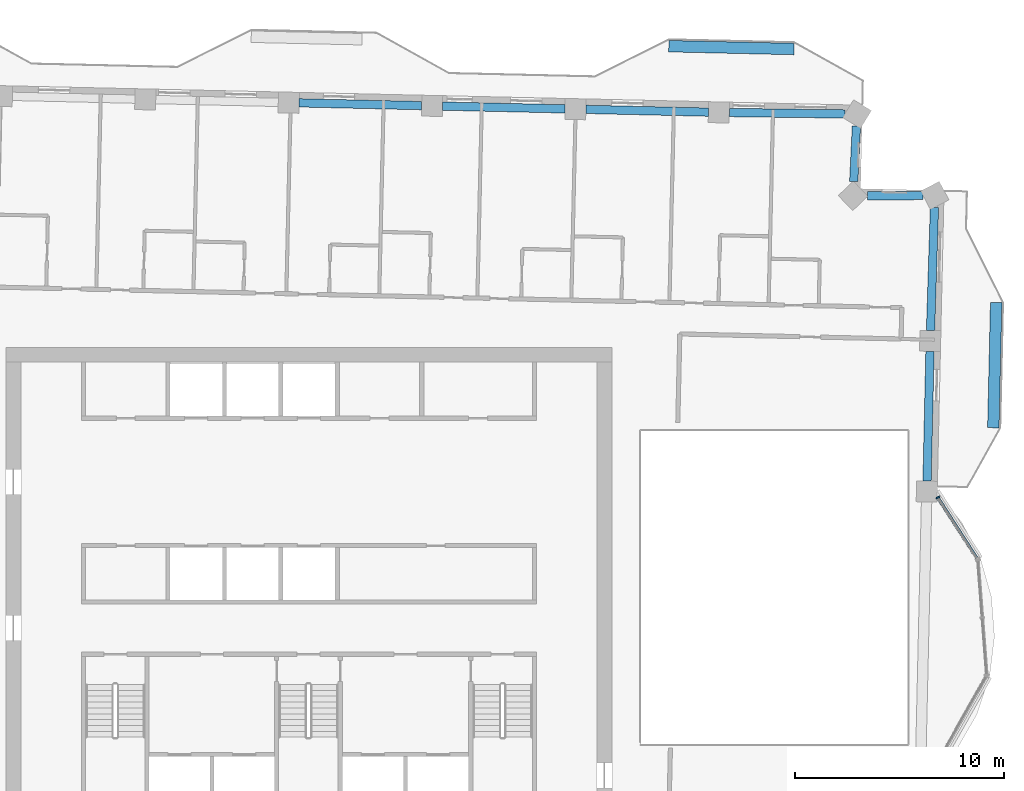
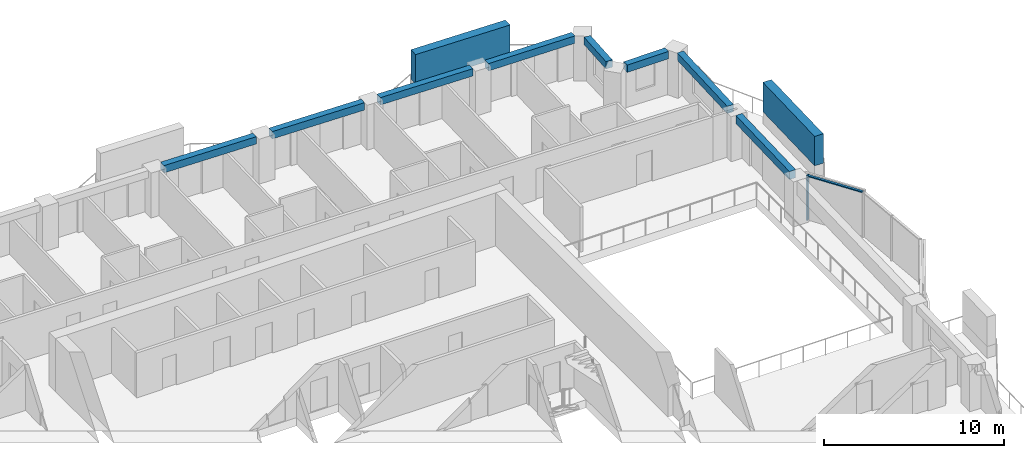
# One storey, part 4 of 17: 8 beams, 4 members, 1 element without a shape of its own.
"""IFC4 building model written with IfcOpenShell, lengths in metres."""

from ifc_helpers import new_model, si_unit, direction, frame, origin, origin_2d, place, context, subcontext, project, spatial, rectangle, extrude, material, material_profile, profile_set, type_object, element, aggregate, save


model = new_model("IFC4")

# Units and contexts
model_context = context("Model", 3, precision=1e-05, world=origin(), true_north=direction((0.0, 1.0)))
body_context = subcontext(model_context, "Body", "Model", "MODEL_VIEW")
ifc_project = project(units=[si_unit("LENGTHUNIT", "METRE"), si_unit("AREAUNIT", "SQUARE_METRE"), si_unit("VOLUMEUNIT", "CUBIC_METRE"), si_unit("PLANEANGLEUNIT", "RADIAN"), si_unit("MASSUNIT", "GRAM", prefix="KILO")], contexts=[model_context])

# Site, building, storey
site_placement = place(None, origin())
site = spatial("IfcSite", under=ifc_project, at=site_placement, CompositionType="ELEMENT")
building_placement = place(site_placement, origin())
building = spatial("IfcBuilding", under=site, at=building_placement, Name="Mangrove Gate Tower", CompositionType="ELEMENT")
storey_placement = place(building_placement, frame((0.0, 0.0, 260.89990234375)))
storey = spatial("IfcBuildingStorey", under=building, at=storey_placement, Name="L66", CompositionType="ELEMENT", Elevation=260.89990234375)

# Curtain wall, members
ifc_material_1 = material(Name="Aluminium and glass curtain wall", Category="aluminium")
curtain_wall_type = type_object("IfcCurtainWallType", Name="Atrium garden-court glazing wall", PredefinedType="NOTDEFINED", material=ifc_material_1)
curtain_wall_placement = place(storey_placement, origin())
curtain_wall = element("IfcCurtainWall", 1, at=curtain_wall_placement, inside=storey, type_object=curtain_wall_type, Name="Atrium garden-court glazing E1f3", PredefinedType="NOTDEFINED")
ifc_material_2 = material(Name="Aluminium alloy 6063-T6", Category="aluminium")
ifc_material_profile_1 = material_profile(ifc_material_2, rectangle(XDim=0.070068359375, YDim=0.199951171875, at=origin_2d()))
ifc_profile_set_1 = profile_set([ifc_material_profile_1], Name="Aluminium alloy 6063-T6")
member_type_1 = type_object("IfcMemberType", Name="Atrium garden-court glazing mullion 70x200", PredefinedType="MULLION", material=ifc_profile_set_1)
member_1_placement = place(storey_placement, frame((30.1083984375, 4.305419921875, 0.0), z_axis=(0.0, 0.0, 1.0), x_axis=(-0.540498107045, 0.841345230141, 0.0)))
member_1 = element("IfcMember", 2, at=member_1_placement, type_object=member_type_1, Name="CWA mullion 2", PredefinedType="MULLION", context=body_context, shape_type="SweptSolid", body=[
    extrude(rectangle(XDim=0.070068359375, YDim=0.199951171875, at=origin_2d()), origin(), (0.0, 0.0, 1.0), 3.050048828125),
])
ifc_material_3 = material(Name="Aluminium alloy 6063-T6", Category="aluminium")
ifc_material_profile_2 = material_profile(ifc_material_3, rectangle(XDim=0.070068359375, YDim=0.14990234375, at=origin_2d()))
ifc_profile_set_2 = profile_set([ifc_material_profile_2], Name="Aluminium alloy 6063-T6")
member_type_2 = type_object("IfcMemberType", Name="Atrium garden-court glazing transom 70x150", PredefinedType="USERDEFINED", material=ifc_profile_set_2)
member_2_placement = place(storey_placement, frame((31.980224609375, 1.391845703125, 3.01513671875), z_axis=(-0.540520015827, 0.84133115507, 0.0), x_axis=(0.0, 0.0, 1.0)))
member_2 = element("IfcMember", 3, at=member_2_placement, type_object=member_type_2, Name="CWA transom 1.2", ObjectType="TRANSOM", PredefinedType="USERDEFINED", context=body_context, shape_type="SweptSolid", body=[
    extrude(rectangle(XDim=0.070068359375, YDim=0.14990234375, at=origin_2d()), origin(), (0.0, 0.0, 1.0), 3.42822265625),
])
aggregate(curtain_wall, [member_1, member_2])

# Members
ifc_material_4 = material(Name="Planting on aluminium trellis", Category="aluminium")
ifc_material_profile_3 = material_profile(ifc_material_4, rectangle(XDim=0.550048828125, YDim=2.0, at=origin_2d()))
ifc_profile_set_3 = profile_set([ifc_material_profile_3], Name="Planting on aluminium trellis")
member_type_3 = type_object("IfcMemberType", Name="Balcony greenery screen 550x2000", PredefinedType="USERDEFINED", material=ifc_profile_set_3)
for number, where, z_axis, x_axis, name in (
    (4, (32.77001953125, 7.64501953125, 1.800048828125), (0.022665943652, 0.999743094499, 0.0), (-0.999743094499, 0.022665943652, 0.0), "GREEN SCREEN L66 E1.1"),
    (5, (17.22998046875, 25.9169921875, 1.800048828125), (0.999743094499, -0.022665943652, 0.0), (0.022665943652, 0.999743094499, 0.0), "GREEN SCREEN L66 N0.1"),
):
    element("IfcMember", number, at=place(storey_placement, frame(where, z_axis=z_axis, x_axis=x_axis)), inside=storey, type_object=member_type_3, Name=name, ObjectType="PLANTING", PredefinedType="USERDEFINED", context=body_context, shape_type="SweptSolid", body=[
        extrude(rectangle(XDim=0.550048828125, YDim=2.0, at=origin_2d()), origin(), (0.0, 0.0, 1.0), 5.99951171875),
    ])

# Beams
ifc_material_5 = material(Name="Concrete C50/60", Category="concrete")
ifc_material_profile_4 = material_profile(ifc_material_5, rectangle(XDim=0.39990234375, YDim=0.5, at=origin_2d()))
ifc_profile_set_4 = profile_set([ifc_material_profile_4], Name="Concrete C50/60")
beam_type_1 = type_object("IfcBeamType", Name="Edge beam RC 400x500 C50/60", PredefinedType="BEAM", material=ifc_profile_set_4)
beam_1_placement = place(storey_placement, frame((29.763916015625, 12.302001953125, 2.800048828125), z_axis=(0.031759593867, 0.999495536857, 0.0), x_axis=(-0.999495536857, 0.031759593867, 0.0)))
element("IfcBeam", 6, at=beam_1_placement, inside=storey, type_object=beam_type_1, Name="Edge beam L66 17", PredefinedType="BEAM", context=body_context, shape_type="SweptSolid", body=[
    extrude(rectangle(XDim=0.39990234375, YDim=0.5, at=origin_2d()), origin(), (0.0, 0.0, 1.0), 5.89599609375),
])
beam_2_placement = place(storey_placement, frame((29.40625, 18.76611328125, 2.800048828125), z_axis=(-0.999982838494, -0.005858559288, 0.0), x_axis=(0.005858559288, -0.999982838494, 0.0)))
element("IfcBeam", 7, at=beam_2_placement, inside=storey, type_object=beam_type_1, Name="Edge beam L66 18", PredefinedType="BEAM", context=body_context, shape_type="SweptSolid", body=[
    extrude(rectangle(XDim=0.39990234375, YDim=0.5, at=origin_2d()), origin(), (0.0, 0.0, 1.0), 2.6669921875),
])
beam_3_placement = place(storey_placement, frame((26.085205078125, 19.43505859375, 2.800048828125), z_axis=(0.048675713211, 0.998814634927, 0.0), x_axis=(-0.998814634927, 0.048675713211, 0.0)))
element("IfcBeam", 8, at=beam_3_placement, inside=storey, type_object=beam_type_1, Name="Edge beam L66 19", PredefinedType="BEAM", context=body_context, shape_type="SweptSolid", body=[
    extrude(rectangle(XDim=0.39990234375, YDim=0.5, at=origin_2d()), origin(), (0.0, 0.0, 1.0), 2.663330078125),
])
beam_4_placement = place(storey_placement, frame((25.660400390625, 22.672119140625, 2.800048828125), z_axis=(-0.999922612995, 0.012440579585, 0.0), x_axis=(-0.012440579585, -0.999922612995, 0.0)))
element("IfcBeam", 9, at=beam_4_placement, inside=storey, type_object=beam_type_1, Name="Edge beam L66 20", PredefinedType="BEAM", context=body_context, shape_type="SweptSolid", body=[
    extrude(rectangle(XDim=0.39990234375, YDim=0.5, at=origin_2d()), origin(), (0.0, 0.0, 1.0), 5.5341796875),
])
beam_5_placement = place(storey_placement, frame((19.126708984375, 22.758544921875, 2.800048828125), z_axis=(-0.999741921459, 0.022717624818, 0.0), x_axis=(-0.022717624818, -0.999741921459, 0.0)))
element("IfcBeam", 10, at=beam_5_placement, inside=storey, type_object=beam_type_1, Name="Edge beam L66 21", PredefinedType="BEAM", context=body_context, shape_type="SweptSolid", body=[
    extrude(rectangle(XDim=0.39990234375, YDim=0.5, at=origin_2d()), origin(), (0.0, 0.0, 1.0), 5.86767578125),
])
beam_6_placement = place(storey_placement, frame((12.2607421875, 22.91455078125, 2.800048828125), z_axis=(-0.999741835545, 0.022721405353, 0.0), x_axis=(-0.022721405353, -0.999741835545, 0.0)))
element("IfcBeam", 11, at=beam_6_placement, inside=storey, type_object=beam_type_1, Name="Edge beam L66 22", PredefinedType="BEAM", context=body_context, shape_type="SweptSolid", body=[
    extrude(rectangle(XDim=0.39990234375, YDim=0.5, at=origin_2d()), origin(), (0.0, 0.0, 1.0), 5.86669921875),
])
beam_7_placement = place(storey_placement, frame((5.395751953125, 23.070556640625, 2.800048828125), z_axis=(-0.999741921459, 0.022717624818, 0.0), x_axis=(-0.022717624818, -0.999741921459, 0.0)))
element("IfcBeam", 12, at=beam_7_placement, inside=storey, type_object=beam_type_1, Name="Edge beam L66 23", PredefinedType="BEAM", context=body_context, shape_type="SweptSolid", body=[
    extrude(rectangle(XDim=0.39990234375, YDim=0.5, at=origin_2d()), origin(), (0.0, 0.0, 1.0), 5.86767578125),
])
ifc_material_6 = material(Name="Concrete C50/60", Category="concrete")
ifc_material_profile_5 = material_profile(ifc_material_6, rectangle(XDim=0.39990234375, YDim=0.550048828125, at=origin_2d()))
ifc_profile_set_5 = profile_set([ifc_material_profile_5], Name="Concrete C50/60")
beam_type_2 = type_object("IfcBeamType", Name="Edge beam RC 400x550 C50/60", PredefinedType="BEAM", material=ifc_profile_set_5)
beam_8_placement = place(storey_placement, frame((29.596435546875, 5.09228515625, 2.775146484375), z_axis=(0.022599093821, 0.999744607867, 0.0), x_axis=(-0.999744607867, 0.022599093821, 0.0)))
element("IfcBeam", 13, at=beam_8_placement, inside=storey, type_object=beam_type_2, Name="Edge beam L66 16", PredefinedType="BEAM", context=body_context, shape_type="SweptSolid", body=[
    extrude(rectangle(XDim=0.39990234375, YDim=0.550048828125, at=origin_2d()), origin(), (0.0, 0.0, 1.0), 6.211669921875),
])

save(model, "model.ifc")
